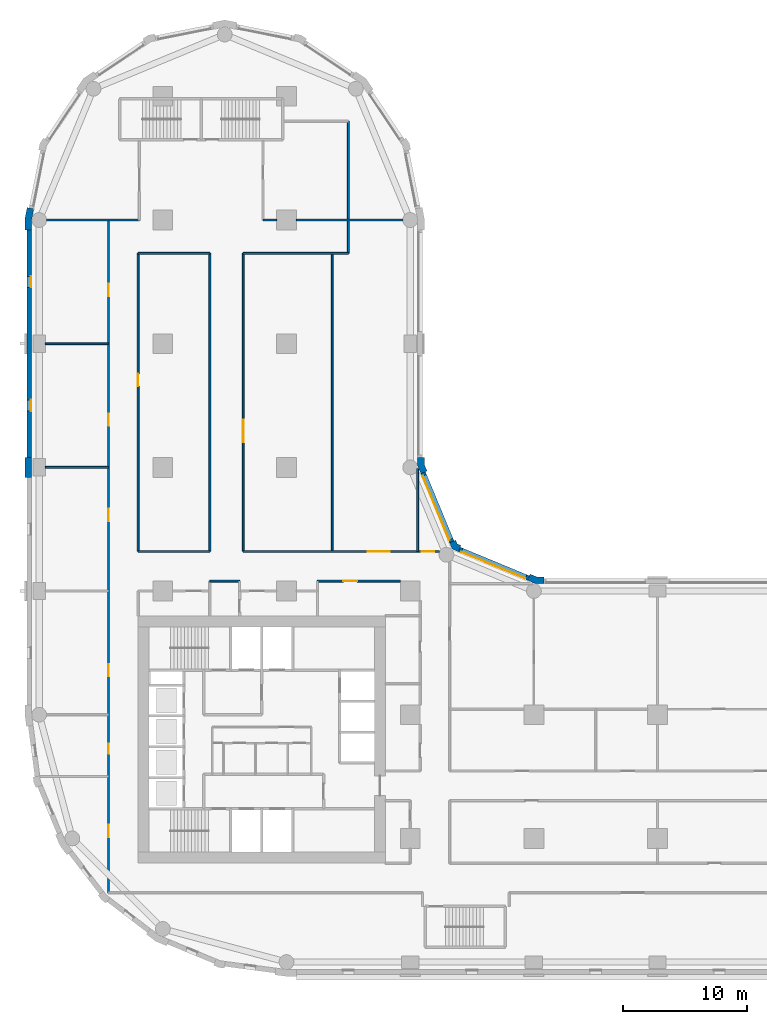
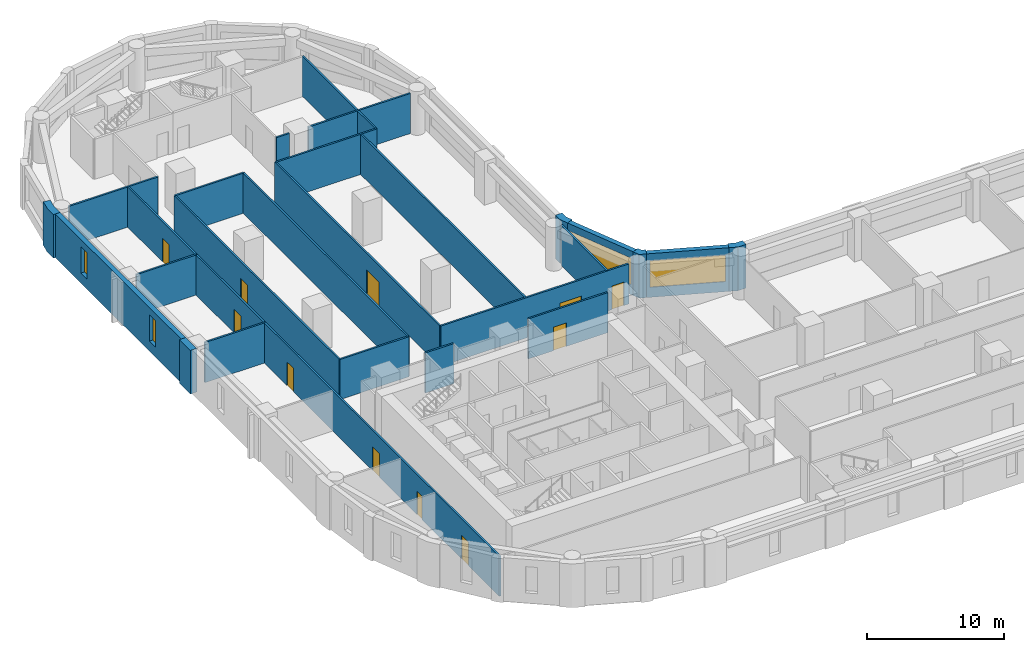
# One storey, part 5 of 10: 26 walls, 11 doors, 4 windows, 15 openings.
"""IFC4 building model written with IfcOpenShell, lengths in metres."""

from ifc_helpers import new_model, si_unit, direction, frame, frame_2d, origin, place, context, subcontext, project, spatial, polyline, rectangle, outline, extrude, material, layer, layer_set, type_object, element, fill, save


model = new_model("IFC4")

# Units and contexts
model_context = context("Model", 3, precision=1e-05, world=origin(), true_north=direction((0.0, 1.0)))
body_context = subcontext(model_context, "Body", "Model", "MODEL_VIEW")
ifc_project = project(units=[si_unit("LENGTHUNIT", "METRE"), si_unit("AREAUNIT", "SQUARE_METRE"), si_unit("VOLUMEUNIT", "CUBIC_METRE"), si_unit("PLANEANGLEUNIT", "RADIAN"), si_unit("MASSUNIT", "GRAM", prefix="KILO")], contexts=[model_context])

# Site, building, storey
site_placement = place(None, origin())
site = spatial("IfcSite", under=ifc_project, at=site_placement, CompositionType="ELEMENT")
building_placement = place(site_placement, origin())
building = spatial("IfcBuilding", under=site, at=building_placement, Name="Qaws Garden Tower", CompositionType="ELEMENT")
storey_placement = place(building_placement, frame((0.0, 0.0, 78.300048828125)))
storey = spatial("IfcBuildingStorey", under=building, at=storey_placement, Name="L19", CompositionType="ELEMENT", Elevation=78.300048828125)

# Wall, opening, window
ifc_material_1 = material(Name="Clay facing brick masonry", Category="masonry")
ifc_layer_1 = layer(ifc_material_1, 0.39990234375)
ifc_layer_set_1 = layer_set([ifc_layer_1], Name="Clay facing brick masonry")
wall_type_1 = type_object("IfcWallType", Name="Brick infill wall 400", PredefinedType="SOLIDWALL", material=ifc_layer_set_1)
wall_1_placement = place(storey_placement, frame((39.56689453125, 31.04541015625, 0.0), z_axis=(0.0, 0.0, 1.0), x_axis=(-0.923891000409, 0.382655745237, 0.0)))
wall_1 = element("IfcWall", 1, at=wall_1_placement, inside=storey, type_object=wall_type_1, Name="E-L19-infill-11", PredefinedType="SOLIDWALL", context=body_context, shape_type="SweptSolid", body=[
    extrude(rectangle(XDim=6.053466796875, YDim=0.39990234375, at=frame_2d((3.02685546875, 0.0))), origin(), (0.0, 0.0, 1.0), 3.89990234375),
])
opening_1_placement = place(wall_1_placement, frame((0.226806640625, 0.0, 0.89990234375)))
opening_1 = element("IfcOpeningElement", 2, at=opening_1_placement, cuts=wall_1, Name="Opening W04", PredefinedType="OPENING", context=body_context, shape_type="SweptSolid", body=[
    extrude(rectangle(XDim=5.60009765625, YDim=2.35009765625, at=frame_2d((2.800048828125, 1.175048828125))), frame((0.0, 0.2099609375, 0.0), z_axis=(0.0, -1.0, 0.0), x_axis=(1.0, 0.0, 0.0)), (0.0, 0.0, 1.0), 0.419921875),
])
ifc_material_2 = material(Name="Aluminium framed window, clear glazing", Category="aluminium")
window_type_1 = type_object("IfcWindowType", Name="Ribbon window 5600 x 2350", PartitioningType="DOUBLE_PANEL_VERTICAL", PredefinedType="WINDOW", material=ifc_material_2)
window_1_placement = place(opening_1_placement, origin())
window_1 = element("IfcWindow", 3, at=window_1_placement, inside=storey, type_object=window_type_1, Name="E-L19-window-11-0", OverallHeight=2.35009765625, OverallWidth=5.60009765625, PartitioningType="SINGLE_PANEL", PredefinedType="WINDOW", context=body_context, shape_type="SweptSolid", body=[
    extrude(rectangle(XDim=5.60009765625, YDim=2.35009765625, at=frame_2d((2.800048828125, 1.175048828125))), frame((0.0, 0.159912109375, 0.0), z_axis=(0.0, -1.0, 0.0), x_axis=(1.0, 0.0, 0.0)), (0.0, 0.0, 1.0), 0.06005859375),
])
fill(opening_1, window_1)

wall_2_placement = place(storey_placement, frame((33.36181640625, 33.97412109375, 0.0), z_axis=(0.0, 0.0, 1.0), x_axis=(-0.382655745237, 0.923891000409, 0.0)))
wall_2 = element("IfcWall", 4, at=wall_2_placement, inside=storey, type_object=wall_type_1, Name="E-L19-infill-12", PredefinedType="SOLIDWALL", context=body_context, shape_type="SweptSolid", body=[
    extrude(rectangle(XDim=6.053466796875, YDim=0.39990234375, at=frame_2d((3.02685546875, 0.0))), origin(), (0.0, 0.0, 1.0), 3.89990234375),
])
opening_2_placement = place(wall_2_placement, frame((0.226806640625, 0.0, 0.89990234375)))
opening_2 = element("IfcOpeningElement", 5, at=opening_2_placement, cuts=wall_2, Name="Opening W04", PredefinedType="OPENING", context=body_context, shape_type="SweptSolid", body=[
    extrude(rectangle(XDim=5.60009765625, YDim=2.35009765625, at=frame_2d((2.800048828125, 1.175048828125))), frame((0.0, 0.2099609375, 0.0), z_axis=(0.0, -1.0, 0.0), x_axis=(1.0, 0.0, 0.0)), (0.0, 0.0, 1.0), 0.419921875),
])
window_2_placement = place(opening_2_placement, origin())
window_2 = element("IfcWindow", 6, at=window_2_placement, inside=storey, type_object=window_type_1, Name="E-L19-window-12-0", OverallHeight=2.35009765625, OverallWidth=5.60009765625, PartitioningType="SINGLE_PANEL", PredefinedType="WINDOW", context=body_context, shape_type="SweptSolid", body=[
    extrude(rectangle(XDim=5.60009765625, YDim=2.35009765625, at=frame_2d((2.800048828125, 1.175048828125))), frame((0.0, 0.159912109375, 0.0), z_axis=(0.0, -1.0, 0.0), x_axis=(1.0, 0.0, 0.0)), (0.0, 0.0, 1.0), 0.06005859375),
])
fill(opening_2, window_2)

# Wall, openings, windows
wall_3_placement = place(storey_placement, frame((-0.800048828125, 59.199951171875, 0.0), z_axis=(0.0, 0.0, 1.0), x_axis=(0.0, -1.0, 0.0)))
wall_3 = element("IfcWall", 7, at=wall_3_placement, inside=storey, type_object=wall_type_1, Name="E-L19-infill-23", PredefinedType="SOLIDWALL", context=body_context, shape_type="SweptSolid", body=[
    extrude(rectangle(XDim=18.39990234375, YDim=0.39990234375, at=frame_2d((9.199951171875, 0.0))), origin(), (0.0, 0.0, 1.0), 3.89990234375),
])
opening_3_placement = place(wall_3_placement, frame((3.75, 0.0, 0.89990234375)))
opening_3 = element("IfcOpeningElement", 8, at=opening_3_placement, cuts=wall_3, Name="Opening W09", PredefinedType="OPENING", context=body_context, shape_type="SweptSolid", body=[
    extrude(rectangle(XDim=0.89990234375, YDim=2.35009765625, at=frame_2d((0.449951171875, 1.175048828125))), frame((0.0, 0.2099609375, 0.0), z_axis=(0.0, -1.0, 0.0), x_axis=(1.0, 0.0, 0.0)), (0.0, 0.0, 1.0), 0.419921875),
])
opening_4_placement = place(wall_3_placement, frame((13.75, 0.0, 0.89990234375)))
opening_4 = element("IfcOpeningElement", 9, at=opening_4_placement, cuts=wall_3, Name="Opening W09", PredefinedType="OPENING", context=body_context, shape_type="SweptSolid", body=[
    extrude(rectangle(XDim=0.89990234375, YDim=2.35009765625, at=frame_2d((0.449951171875, 1.175048828125))), frame((0.0, 0.2099609375, 0.0), z_axis=(0.0, -1.0, 0.0), x_axis=(1.0, 0.0, 0.0)), (0.0, 0.0, 1.0), 0.419921875),
])
ifc_material_3 = material(Name="Aluminium framed window, clear glazing", Category="aluminium")
window_type_2 = type_object("IfcWindowType", Name="Slit window 900 x 2350", PartitioningType="SINGLE_PANEL", PredefinedType="WINDOW", material=ifc_material_3)
window_3_placement = place(opening_3_placement, origin())
window_3 = element("IfcWindow", 10, at=window_3_placement, inside=storey, type_object=window_type_2, Name="E-L19-window-23-0", OverallHeight=2.35009765625, OverallWidth=0.89990234375, PartitioningType="SINGLE_PANEL", PredefinedType="WINDOW", context=body_context, shape_type="SweptSolid", body=[
    extrude(rectangle(XDim=0.89990234375, YDim=2.35009765625, at=frame_2d((0.449951171875, 1.175048828125))), frame((0.0, 0.159912109375, 0.0), z_axis=(0.0, -1.0, 0.0), x_axis=(1.0, 0.0, 0.0)), (0.0, 0.0, 1.0), 0.06005859375),
])
fill(opening_3, window_3)
window_4_placement = place(opening_4_placement, origin())
window_4 = element("IfcWindow", 11, at=window_4_placement, inside=storey, type_object=window_type_2, Name="E-L19-window-24-0", OverallHeight=2.35009765625, OverallWidth=0.89990234375, PartitioningType="SINGLE_PANEL", PredefinedType="WINDOW", context=body_context, shape_type="SweptSolid", body=[
    extrude(rectangle(XDim=0.89990234375, YDim=2.35009765625, at=frame_2d((0.449951171875, 1.175048828125))), frame((0.0, 0.159912109375, 0.0), z_axis=(0.0, -1.0, 0.0), x_axis=(1.0, 0.0, 0.0)), (0.0, 0.0, 1.0), 0.06005859375),
])
fill(opening_4, window_4)

# Walls
ifc_material_4 = material(Name="Clay facing brick masonry", Category="masonry")
ifc_layer_2 = layer(ifc_material_4, 0.550048828125)
ifc_layer_set_2 = layer_set([ifc_layer_2], Name="Clay facing brick masonry")
wall_type_2 = type_object("IfcWallType", Name="Brick pier 550 x 1600", PredefinedType="SOLIDWALL", material=ifc_layer_set_2)
placement = place(storey_placement, origin())
element("IfcWall", 12, at=placement, inside=storey, type_object=wall_type_2, Name="E-L19-pier-11", PredefinedType="SOLIDWALL", context=body_context, shape_type="SweptSolid", body=[
    extrude(outline(polyline([(40.800048828125, 31.0), (40.800048828125, 31.14990234375), (40.228759765625, 31.14990234375), (39.700927734375, 31.36865234375), (39.6435546875, 31.22998046875), (39.490478515625, 30.860595703125), (40.119384765625, 30.60009765625), (40.800048828125, 30.60009765625), (40.800048828125, 31.0)])), origin(), (0.0, 0.0, 1.0), 3.89990234375),
])
element("IfcWall", 13, at=placement, inside=storey, type_object=wall_type_2, Name="E-L19-pier-12", PredefinedType="SOLIDWALL", context=body_context, shape_type="SweptSolid", body=[
    extrude(outline(polyline([(34.05078125, 33.546630859375), (34.108154296875, 33.685302734375), (33.80908203125, 33.80908203125), (33.685302734375, 34.108154296875), (33.546630859375, 34.05078125), (33.177001953125, 33.897705078125), (33.38818359375, 33.38818359375), (33.897705078125, 33.177001953125), (34.05078125, 33.546630859375)])), origin(), (0.0, 0.0, 1.0), 3.89990234375),
])
element("IfcWall", 14, at=placement, inside=storey, type_object=wall_type_2, Name="E-L19-pier-13", PredefinedType="SOLIDWALL", context=body_context, shape_type="SweptSolid", body=[
    extrude(outline(polyline([(31.22998046875, 39.6435546875), (31.36865234375, 39.700927734375), (31.14990234375, 40.228759765625), (31.14990234375, 40.800048828125), (31.0, 40.800048828125), (30.60009765625, 40.800048828125), (30.60009765625, 40.119384765625), (30.860595703125, 39.490478515625), (31.22998046875, 39.6435546875)])), origin(), (0.0, 0.0, 1.0), 3.89990234375),
])
element("IfcWall", 15, at=placement, inside=storey, type_object=wall_type_2, Name="E-L19-pier-23", PredefinedType="SOLIDWALL", context=body_context, shape_type="SweptSolid", body=[
    extrude(outline(polyline([(-0.82470703125, 60.979736328125), (-0.971923828125, 61.009033203125), (-1.14990234375, 60.11328125), (-1.14990234375, 59.199951171875), (-1.0, 59.199951171875), (-0.60009765625, 59.199951171875), (-0.60009765625, 60.05908203125), (-0.432373046875, 60.901611328125), (-0.82470703125, 60.979736328125)])), origin(), (0.0, 0.0, 1.0), 3.89990234375),
])
element("IfcWall", 16, at=placement, inside=storey, type_object=wall_type_2, Name="E-L19-pier-25", PredefinedType="SOLIDWALL", context=body_context, shape_type="SweptSolid", body=[
    extrude(outline(polyline([(-1.0, 40.800048828125), (-1.14990234375, 40.800048828125), (-1.14990234375, 40.0), (-1.14990234375, 39.199951171875), (-1.0, 39.199951171875), (-0.60009765625, 39.199951171875), (-0.60009765625, 40.0), (-0.60009765625, 40.800048828125), (-1.0, 40.800048828125)])), origin(), (0.0, 0.0, 1.0), 3.89990234375),
])

# Wall, openings, doors
ifc_material_5 = material(Name="Gypsum board partition")
ifc_layer_3 = layer(ifc_material_5, 0.14990234375)
ifc_layer_set_3 = layer_set([ifc_layer_3], Name="Gypsum board partition")
wall_type_3 = type_object("IfcWallType", Name="PARTITION 150 EI 60", PredefinedType="PARTITIONING", material=ifc_layer_set_3)
wall_9_placement = place(storey_placement, frame((5.60009765625, 5.60009765625, 0.0), z_axis=(0.0, 0.0, 1.0), x_axis=(0.0, 1.0, 0.0)))
wall_9 = element("IfcWall", 17, at=wall_9_placement, inside=storey, type_object=wall_type_3, Name="O-L19-wall-004", PredefinedType="PARTITIONING", context=body_context, shape_type="SweptSolid", body=[
    extrude(rectangle(XDim=54.39990234375, YDim=0.14990234375, at=frame_2d((27.199951171875, 0.0))), origin(), (0.0, 0.0, 1.0), 3.579833984375),
])
opening_5_placement = place(wall_9_placement, frame((4.5, 0.0, 0.0)))
opening_5 = element("IfcOpeningElement", 18, at=opening_5_placement, cuts=wall_9, Name="Opening A601", PredefinedType="OPENING", context=body_context, shape_type="SweptSolid", body=[
    extrude(rectangle(XDim=1.0, YDim=2.10009765625, at=frame_2d((0.5, 1.050048828125))), frame((0.0, 0.0849609375, 0.0), z_axis=(0.0, -1.0, 0.0), x_axis=(1.0, 0.0, 0.0)), (0.0, 0.0, 1.0), 0.169921875),
])
opening_6_placement = place(wall_9_placement, frame((11.25, 0.0, 0.0)))
opening_6 = element("IfcOpeningElement", 19, at=opening_6_placement, cuts=wall_9, Name="Opening A602", PredefinedType="OPENING", context=body_context, shape_type="SweptSolid", body=[
    extrude(rectangle(XDim=0.800048828125, YDim=2.10009765625, at=frame_2d((0.39990234375, 1.050048828125))), frame((0.0, 0.0849609375, 0.0), z_axis=(0.0, -1.0, 0.0), x_axis=(1.0, 0.0, 0.0)), (0.0, 0.0, 1.0), 0.169921875),
])
opening_7_placement = place(wall_9_placement, frame((17.5, 0.0, 0.0)))
opening_7 = element("IfcOpeningElement", 20, at=opening_7_placement, cuts=wall_9, Name="Opening A610", PredefinedType="OPENING", context=body_context, shape_type="SweptSolid", body=[
    extrude(rectangle(XDim=1.0, YDim=2.10009765625, at=frame_2d((0.5, 1.050048828125))), frame((0.0, 0.0849609375, 0.0), z_axis=(0.0, -1.0, 0.0), x_axis=(1.0, 0.0, 0.0)), (0.0, 0.0, 1.0), 0.169921875),
])
opening_8_placement = place(wall_9_placement, frame((30.050048828125, 0.0, 0.0)))
opening_8 = element("IfcOpeningElement", 21, at=opening_8_placement, cuts=wall_9, Name="Opening A619", PredefinedType="OPENING", context=body_context, shape_type="SweptSolid", body=[
    extrude(rectangle(XDim=1.0, YDim=2.10009765625, at=frame_2d((0.5, 1.050048828125))), frame((0.0, 0.0849609375, 0.0), z_axis=(0.0, -1.0, 0.0), x_axis=(1.0, 0.0, 0.0)), (0.0, 0.0, 1.0), 0.169921875),
])
opening_9_placement = place(wall_9_placement, frame((37.75, 0.0, 0.0)))
opening_9 = element("IfcOpeningElement", 22, at=opening_9_placement, cuts=wall_9, Name="Opening A620", PredefinedType="OPENING", context=body_context, shape_type="SweptSolid", body=[
    extrude(rectangle(XDim=1.0, YDim=2.10009765625, at=frame_2d((0.5, 1.050048828125))), frame((0.0, 0.0849609375, 0.0), z_axis=(0.0, -1.0, 0.0), x_axis=(1.0, 0.0, 0.0)), (0.0, 0.0, 1.0), 0.169921875),
])
opening_10_placement = place(wall_9_placement, frame((48.25, 0.0, 0.0)))
opening_10 = element("IfcOpeningElement", 23, at=opening_10_placement, cuts=wall_9, Name="Opening A621", PredefinedType="OPENING", context=body_context, shape_type="SweptSolid", body=[
    extrude(rectangle(XDim=1.0, YDim=2.10009765625, at=frame_2d((0.5, 1.050048828125))), frame((0.0, 0.0849609375, 0.0), z_axis=(0.0, -1.0, 0.0), x_axis=(1.0, 0.0, 0.0)), (0.0, 0.0, 1.0), 0.169921875),
])
ifc_material_6 = material(Name="Timber door leaf", Category="wood")
door_type_1 = type_object("IfcDoorType", Name="STORE DOOR 800 X 2100", OperationType="SINGLE_SWING_LEFT", PredefinedType="DOOR", material=ifc_material_6)
door_1_placement = place(opening_6_placement, origin())
door_1 = element("IfcDoor", 24, at=door_1_placement, inside=storey, type_object=door_type_1, Name="O-L19-door-002", OperationType="SINGLE_SWING_RIGHT", OverallHeight=2.10009765625, OverallWidth=0.800048828125, PredefinedType="DOOR", context=body_context, shape_type="SweptSolid", body=[
    extrude(rectangle(XDim=0.800048828125, YDim=2.10009765625, at=frame_2d((0.39990234375, 1.050048828125))), frame((0.0, 0.02490234375, 0.0), z_axis=(0.0, -1.0, 0.0), x_axis=(1.0, 0.0, 0.0)), (0.0, 0.0, 1.0), 0.050048828125),
])
fill(opening_6, door_1)
ifc_material_7 = material(Name="Timber door leaf", Category="wood")
door_type_2 = type_object("IfcDoorType", Name="TENANCY ENTRANCE DOOR 1000 X 2100", OperationType="SINGLE_SWING_LEFT", PredefinedType="DOOR", material=ifc_material_7)
door_2_placement = place(opening_5_placement, origin())
door_2 = element("IfcDoor", 25, at=door_2_placement, inside=storey, type_object=door_type_2, Name="O-L19-door-001", OperationType="SINGLE_SWING_RIGHT", OverallHeight=2.10009765625, OverallWidth=1.0, PredefinedType="DOOR", context=body_context, shape_type="SweptSolid", body=[
    extrude(rectangle(XDim=1.0, YDim=2.10009765625, at=frame_2d((0.5, 1.050048828125))), frame((0.0, 0.02490234375, 0.0), z_axis=(0.0, -1.0, 0.0), x_axis=(1.0, 0.0, 0.0)), (0.0, 0.0, 1.0), 0.050048828125),
])
fill(opening_5, door_2)
door_3_placement = place(opening_7_placement, origin())
door_3 = element("IfcDoor", 26, at=door_3_placement, inside=storey, type_object=door_type_2, Name="O-L19-door-010", OperationType="SINGLE_SWING_RIGHT", OverallHeight=2.10009765625, OverallWidth=1.0, PredefinedType="DOOR", context=body_context, shape_type="SweptSolid", body=[
    extrude(rectangle(XDim=1.0, YDim=2.10009765625, at=frame_2d((0.5, 1.050048828125))), frame((0.0, 0.02490234375, 0.0), z_axis=(0.0, -1.0, 0.0), x_axis=(1.0, 0.0, 0.0)), (0.0, 0.0, 1.0), 0.050048828125),
])
fill(opening_7, door_3)
door_4_placement = place(opening_8_placement, origin())
door_4 = element("IfcDoor", 27, at=door_4_placement, inside=storey, type_object=door_type_2, Name="O-L19-door-019", OperationType="SINGLE_SWING_LEFT", OverallHeight=2.10009765625, OverallWidth=1.0, PredefinedType="DOOR", context=body_context, shape_type="SweptSolid", body=[
    extrude(rectangle(XDim=1.0, YDim=2.10009765625, at=frame_2d((0.5, 1.050048828125))), frame((0.0, 0.02490234375, 0.0), z_axis=(0.0, -1.0, 0.0), x_axis=(1.0, 0.0, 0.0)), (0.0, 0.0, 1.0), 0.050048828125),
])
fill(opening_8, door_4)
door_5_placement = place(opening_9_placement, origin())
door_5 = element("IfcDoor", 28, at=door_5_placement, inside=storey, type_object=door_type_2, Name="O-L19-door-020", OperationType="SINGLE_SWING_LEFT", OverallHeight=2.10009765625, OverallWidth=1.0, PredefinedType="DOOR", context=body_context, shape_type="SweptSolid", body=[
    extrude(rectangle(XDim=1.0, YDim=2.10009765625, at=frame_2d((0.5, 1.050048828125))), frame((0.0, 0.02490234375, 0.0), z_axis=(0.0, -1.0, 0.0), x_axis=(1.0, 0.0, 0.0)), (0.0, 0.0, 1.0), 0.050048828125),
])
fill(opening_9, door_5)
door_6_placement = place(opening_10_placement, origin())
door_6 = element("IfcDoor", 29, at=door_6_placement, inside=storey, type_object=door_type_2, Name="O-L19-door-021", OperationType="SINGLE_SWING_LEFT", OverallHeight=2.10009765625, OverallWidth=1.0, PredefinedType="DOOR", context=body_context, shape_type="SweptSolid", body=[
    extrude(rectangle(XDim=1.0, YDim=2.10009765625, at=frame_2d((0.5, 1.050048828125))), frame((0.0, 0.02490234375, 0.0), z_axis=(0.0, -1.0, 0.0), x_axis=(1.0, 0.0, 0.0)), (0.0, 0.0, 1.0), 0.050048828125),
])
fill(opening_10, door_6)

# Wall, opening, door
wall_10_placement = place(storey_placement, frame((8.0, 33.199951171875, 0.0), z_axis=(0.0, 0.0, 1.0), x_axis=(0.0, 1.0, 0.0)))
wall_10 = element("IfcWall", 30, at=wall_10_placement, inside=storey, type_object=wall_type_3, Name="O-L19-wall-006", PredefinedType="PARTITIONING", context=body_context, shape_type="SweptSolid", body=[
    extrude(rectangle(XDim=24.10009765625, YDim=0.14990234375, at=frame_2d((12.050048828125, 0.0))), origin(), (0.0, 0.0, 1.0), 3.579833984375),
])
opening_11_placement = place(wall_10_placement, frame((13.35009765625, 0.0, 0.0)))
opening_11 = element("IfcOpeningElement", 31, at=opening_11_placement, cuts=wall_10, Name="Opening A613", PredefinedType="OPENING", context=body_context, shape_type="SweptSolid", body=[
    extrude(rectangle(XDim=1.0, YDim=2.10009765625, at=frame_2d((0.5, 1.050048828125))), frame((0.0, 0.0849609375, 0.0), z_axis=(0.0, -1.0, 0.0), x_axis=(1.0, 0.0, 0.0)), (0.0, 0.0, 1.0), 0.169921875),
])
door_7_placement = place(opening_11_placement, frame((1.0, 0.0, 0.0), z_axis=(0.0, 0.0, 1.0), x_axis=(-1.0, 0.0, 0.0)))
door_7 = element("IfcDoor", 32, at=door_7_placement, inside=storey, type_object=door_type_2, Name="O-L19-door-013", OperationType="SINGLE_SWING_RIGHT", OverallHeight=2.10009765625, OverallWidth=1.0, PredefinedType="DOOR", context=body_context, shape_type="SweptSolid", body=[
    extrude(rectangle(XDim=1.0, YDim=2.10009765625, at=frame_2d((0.5, 1.050048828125))), frame((0.0, 0.02490234375, 0.0), z_axis=(0.0, -1.0, 0.0), x_axis=(1.0, 0.0, 0.0)), (0.0, 0.0, 1.0), 0.050048828125),
])
fill(opening_11, door_7)

# Wall
wall_11_placement = place(storey_placement, frame((13.800048828125, 33.199951171875, 0.0), z_axis=(0.0, 0.0, 1.0), x_axis=(0.0, 1.0, 0.0)))
element("IfcWall", 33, at=wall_11_placement, inside=storey, type_object=wall_type_3, Name="O-L19-wall-009", PredefinedType="PARTITIONING", context=body_context, shape_type="SweptSolid", body=[
    extrude(rectangle(XDim=24.10009765625, YDim=0.14990234375, at=frame_2d((12.050048828125, 0.0))), origin(), (0.0, 0.0, 1.0), 3.579833984375),
])

# Wall, opening, door
wall_12_placement = place(storey_placement, frame((16.5, 33.199951171875, 0.0), z_axis=(0.0, 0.0, 1.0), x_axis=(0.0, 1.0, 0.0)))
wall_12 = element("IfcWall", 34, at=wall_12_placement, inside=storey, type_object=wall_type_3, Name="O-L19-wall-011", PredefinedType="PARTITIONING", context=body_context, shape_type="SweptSolid", body=[
    extrude(rectangle(XDim=24.10009765625, YDim=0.14990234375, at=frame_2d((12.050048828125, 0.0))), origin(), (0.0, 0.0, 1.0), 3.579833984375),
])
opening_12_placement = place(wall_12_placement, frame((8.85009765625, 0.0, 0.0)))
opening_12 = element("IfcOpeningElement", 35, at=opening_12_placement, cuts=wall_12, Name="Opening A614", PredefinedType="OPENING", context=body_context, shape_type="SweptSolid", body=[
    extrude(rectangle(XDim=1.800048828125, YDim=2.10009765625, at=frame_2d((0.89990234375, 1.050048828125))), frame((0.0, 0.0849609375, 0.0), z_axis=(0.0, -1.0, 0.0), x_axis=(1.0, 0.0, 0.0)), (0.0, 0.0, 1.0), 0.169921875),
])
ifc_material_8 = material(Name="Timber door leaf", Category="wood")
door_type_3 = type_object("IfcDoorType", Name="DOUBLE DOOR 1800 X 2100", OperationType="DOUBLE_DOOR_SINGLE_SWING", PredefinedType="DOOR", material=ifc_material_8)
door_8_placement = place(opening_12_placement, frame((1.800048828125, 0.0, 0.0), z_axis=(0.0, 0.0, 1.0), x_axis=(-1.0, 0.0, 0.0)))
door_8 = element("IfcDoor", 36, at=door_8_placement, inside=storey, type_object=door_type_3, Name="O-L19-door-014", OperationType="DOUBLE_DOOR_SINGLE_SWING", OverallHeight=2.10009765625, OverallWidth=1.800048828125, PredefinedType="DOOR", context=body_context, shape_type="SweptSolid", body=[
    extrude(rectangle(XDim=1.800048828125, YDim=2.10009765625, at=frame_2d((0.89990234375, 1.050048828125))), frame((0.0, 0.02490234375, 0.0), z_axis=(0.0, -1.0, 0.0), x_axis=(1.0, 0.0, 0.0)), (0.0, 0.0, 1.0), 0.050048828125),
])
fill(opening_12, door_8)

# Walls
wall_13_placement = place(storey_placement, frame((23.699951171875, 33.199951171875, 0.0), z_axis=(0.0, 0.0, 1.0), x_axis=(0.0, 1.0, 0.0)))
element("IfcWall", 37, at=wall_13_placement, inside=storey, type_object=wall_type_3, Name="O-L19-wall-014", PredefinedType="PARTITIONING", context=body_context, shape_type="SweptSolid", body=[
    extrude(rectangle(XDim=24.10009765625, YDim=0.14990234375, at=frame_2d((12.050048828125, 0.0))), origin(), (0.0, 0.0, 1.0), 3.579833984375),
])
wall_14_placement = place(storey_placement, frame((25.0, 57.300048828125, 0.0), z_axis=(0.0, 0.0, 1.0), x_axis=(0.0, 1.0, 0.0)))
element("IfcWall", 38, at=wall_14_placement, inside=storey, type_object=wall_type_3, Name="O-L19-wall-015", PredefinedType="PARTITIONING", context=body_context, shape_type="SweptSolid", body=[
    extrude(rectangle(XDim=10.699951171875, YDim=0.14990234375, at=frame_2d((5.35009765625, 0.0))), origin(), (0.0, 0.0, 1.0), 3.579833984375),
])
wall_15_placement = place(storey_placement, frame((30.60009765625, 33.199951171875, 0.0), z_axis=(0.0, 0.0, 1.0), x_axis=(0.0, 1.0, 0.0)))
element("IfcWall", 39, at=wall_15_placement, inside=storey, type_object=wall_type_3, Name="O-L19-wall-018", PredefinedType="PARTITIONING", context=body_context, shape_type="SweptSolid", body=[
    extrude(rectangle(XDim=6.698974609375, YDim=0.14990234375, at=frame_2d((3.349609375, 0.0))), origin(), (0.0, 0.0, 1.0), 3.579833984375),
])
wall_16_placement = place(storey_placement, frame((13.800048828125, 30.800048828125, 0.0), z_axis=(0.0, 0.0, 1.0), x_axis=(1.0, 0.0, 0.0)))
element("IfcWall", 40, at=wall_16_placement, inside=storey, type_object=wall_type_3, Name="O-L19-wall-054", PredefinedType="PARTITIONING", context=body_context, shape_type="SweptSolid", body=[
    extrude(rectangle(XDim=2.39990234375, YDim=0.14990234375, at=frame_2d((1.199951171875, 0.0))), origin(), (0.0, 0.0, 1.0), 3.579833984375),
])

# Wall, opening, door
wall_17_placement = place(storey_placement, frame((22.5, 30.800048828125, 0.0), z_axis=(0.0, 0.0, 1.0), x_axis=(1.0, 0.0, 0.0)))
wall_17 = element("IfcWall", 41, at=wall_17_placement, inside=storey, type_object=wall_type_3, Name="O-L19-wall-055", PredefinedType="PARTITIONING", context=body_context, shape_type="SweptSolid", body=[
    extrude(rectangle(XDim=6.699951171875, YDim=0.14990234375, at=frame_2d((3.35009765625, 0.0))), origin(), (0.0, 0.0, 1.0), 3.579833984375),
])
opening_13_placement = place(wall_17_placement, frame((2.10009765625, 0.0, 0.0)))
opening_13 = element("IfcOpeningElement", 42, at=opening_13_placement, cuts=wall_17, Name="Opening A612", PredefinedType="OPENING", context=body_context, shape_type="SweptSolid", body=[
    extrude(rectangle(XDim=1.10009765625, YDim=2.10009765625, at=frame_2d((0.550048828125, 1.050048828125))), frame((0.0, 0.0849609375, 0.0), z_axis=(0.0, -1.0, 0.0), x_axis=(1.0, 0.0, 0.0)), (0.0, 0.0, 1.0), 0.169921875),
])
ifc_material_9 = material(Name="Timber door leaf", Category="wood")
door_type_4 = type_object("IfcDoorType", Name="SERVICE ROOM DOOR 1100 X 2100", OperationType="SINGLE_SWING_LEFT", PredefinedType="DOOR", material=ifc_material_9)
door_9_placement = place(opening_13_placement, frame((1.10009765625, 0.0, 0.0), z_axis=(0.0, 0.0, 1.0), x_axis=(-1.0, 0.0, 0.0)))
door_9 = element("IfcDoor", 43, at=door_9_placement, inside=storey, type_object=door_type_4, Name="O-L19-door-012", OperationType="SINGLE_SWING_LEFT", OverallHeight=2.10009765625, OverallWidth=1.10009765625, PredefinedType="DOOR", context=body_context, shape_type="SweptSolid", body=[
    extrude(rectangle(XDim=1.10009765625, YDim=2.10009765625, at=frame_2d((0.550048828125, 1.050048828125))), frame((0.0, 0.02490234375, 0.0), z_axis=(0.0, -1.0, 0.0), x_axis=(1.0, 0.0, 0.0)), (0.0, 0.0, 1.0), 0.050048828125),
])
fill(opening_13, door_9)

# Wall
wall_18_placement = place(storey_placement, frame((8.0, 33.199951171875, 0.0), z_axis=(0.0, 0.0, 1.0), x_axis=(1.0, 0.0, 0.0)))
element("IfcWall", 44, at=wall_18_placement, inside=storey, type_object=wall_type_3, Name="O-L19-wall-056", PredefinedType="PARTITIONING", context=body_context, shape_type="SweptSolid", body=[
    extrude(rectangle(XDim=5.800048828125, YDim=0.14990234375, at=frame_2d((2.89990234375, 0.0))), origin(), (0.0, 0.0, 1.0), 3.579833984375),
])

# Wall, openings, doors
wall_19_placement = place(storey_placement, frame((16.5, 33.199951171875, 0.0), z_axis=(0.0, 0.0, 1.0), x_axis=(1.0, 0.0, 0.0)))
wall_19 = element("IfcWall", 45, at=wall_19_placement, inside=storey, type_object=wall_type_3, Name="O-L19-wall-057", PredefinedType="PARTITIONING", context=body_context, shape_type="SweptSolid", body=[
    extrude(rectangle(XDim=15.862060546875, YDim=0.14990234375, at=frame_2d((7.93115234375, 0.0))), origin(), (0.0, 0.0, 1.0), 3.579833984375),
])
opening_14_placement = place(wall_19_placement, frame((10.050048828125, 0.0, 0.0)))
opening_14 = element("IfcOpeningElement", 46, at=opening_14_placement, cuts=wall_19, Name="Opening A615", PredefinedType="OPENING", context=body_context, shape_type="SweptSolid", body=[
    extrude(rectangle(XDim=1.800048828125, YDim=2.10009765625, at=frame_2d((0.89990234375, 1.050048828125))), frame((0.0, 0.0849609375, 0.0), z_axis=(0.0, -1.0, 0.0), x_axis=(1.0, 0.0, 0.0)), (0.0, 0.0, 1.0), 0.169921875),
])
opening_15_placement = place(wall_19_placement, frame((14.449951171875, 0.0, 0.0)))
opening_15 = element("IfcOpeningElement", 47, at=opening_15_placement, cuts=wall_19, Name="Opening A618", PredefinedType="OPENING", context=body_context, shape_type="SweptSolid", body=[
    extrude(rectangle(XDim=1.0, YDim=2.10009765625, at=frame_2d((0.5, 1.050048828125))), frame((0.0, 0.0849609375, 0.0), z_axis=(0.0, -1.0, 0.0), x_axis=(1.0, 0.0, 0.0)), (0.0, 0.0, 1.0), 0.169921875),
])
door_10_placement = place(opening_14_placement, origin())
door_10 = element("IfcDoor", 48, at=door_10_placement, inside=storey, type_object=door_type_3, Name="O-L19-door-015", OperationType="DOUBLE_DOOR_SINGLE_SWING", OverallHeight=2.10009765625, OverallWidth=1.800048828125, PredefinedType="DOOR", context=body_context, shape_type="SweptSolid", body=[
    extrude(rectangle(XDim=1.800048828125, YDim=2.10009765625, at=frame_2d((0.89990234375, 1.050048828125))), frame((0.0, 0.02490234375, 0.0), z_axis=(0.0, -1.0, 0.0), x_axis=(1.0, 0.0, 0.0)), (0.0, 0.0, 1.0), 0.050048828125),
])
fill(opening_14, door_10)
door_11_placement = place(opening_15_placement, origin())
door_11 = element("IfcDoor", 49, at=door_11_placement, inside=storey, type_object=door_type_2, Name="O-L19-door-018", OperationType="SINGLE_SWING_LEFT", OverallHeight=2.10009765625, OverallWidth=1.0, PredefinedType="DOOR", context=body_context, shape_type="SweptSolid", body=[
    extrude(rectangle(XDim=1.0, YDim=2.10009765625, at=frame_2d((0.5, 1.050048828125))), frame((0.0, 0.02490234375, 0.0), z_axis=(0.0, -1.0, 0.0), x_axis=(1.0, 0.0, 0.0)), (0.0, 0.0, 1.0), 0.050048828125),
])
fill(opening_15, door_11)

# Walls
for number, where, z_axis, x_axis, name in (
    (50, (0.5, 40.0, 0.0), (0.0, 0.0, 1.0), (1.0, 0.0, 0.0), "O-L19-wall-058"),
    (51, (0.5, 50.0, 0.0), (0.0, 0.0, 1.0), (1.0, 0.0, 0.0), "O-L19-wall-059"),
):
    element("IfcWall", number, at=place(storey_placement, frame(where, z_axis=z_axis, x_axis=x_axis)), inside=storey, type_object=wall_type_3, Name=name, PredefinedType="PARTITIONING", context=body_context, shape_type="SweptSolid", body=[
        extrude(rectangle(XDim=5.10009765625, YDim=0.14990234375, at=frame_2d((2.550048828125, 0.0))), origin(), (0.0, 0.0, 1.0), 3.579833984375),
    ])
wall_20_placement = place(storey_placement, frame((8.0, 57.300048828125, 0.0), z_axis=(0.0, 0.0, 1.0), x_axis=(1.0, 0.0, 0.0)))
element("IfcWall", 52, at=wall_20_placement, inside=storey, type_object=wall_type_3, Name="O-L19-wall-060", PredefinedType="PARTITIONING", context=body_context, shape_type="SweptSolid", body=[
    extrude(rectangle(XDim=5.800048828125, YDim=0.14990234375, at=frame_2d((2.89990234375, 0.0))), origin(), (0.0, 0.0, 1.0), 3.579833984375),
])
wall_21_placement = place(storey_placement, frame((16.5, 57.300048828125, 0.0), z_axis=(0.0, 0.0, 1.0), x_axis=(1.0, 0.0, 0.0)))
element("IfcWall", 53, at=wall_21_placement, inside=storey, type_object=wall_type_3, Name="O-L19-wall-061", PredefinedType="PARTITIONING", context=body_context, shape_type="SweptSolid", body=[
    extrude(rectangle(XDim=8.5, YDim=0.14990234375, at=frame_2d((4.25, 0.0))), origin(), (0.0, 0.0, 1.0), 3.579833984375),
])
wall_22_placement = place(storey_placement, frame((0.60009765625, 60.0, 0.0), z_axis=(0.0, 0.0, 1.0), x_axis=(1.0, 0.0, 0.0)))
element("IfcWall", 54, at=wall_22_placement, inside=storey, type_object=wall_type_3, Name="O-L19-wall-062", PredefinedType="PARTITIONING", context=body_context, shape_type="SweptSolid", body=[
    extrude(rectangle(XDim=7.5, YDim=0.14990234375, at=frame_2d((3.75, 0.0))), origin(), (0.0, 0.0, 1.0), 3.579833984375),
])
wall_23_placement = place(storey_placement, frame((18.10009765625, 60.0, 0.0), z_axis=(0.0, 0.0, 1.0), x_axis=(1.0, 0.0, 0.0)))
element("IfcWall", 55, at=wall_23_placement, inside=storey, type_object=wall_type_3, Name="O-L19-wall-063", PredefinedType="PARTITIONING", context=body_context, shape_type="SweptSolid", body=[
    extrude(rectangle(XDim=1.099853515625, YDim=0.14990234375, at=frame_2d((0.5498046875, 0.0))), origin(), (0.0, 0.0, 1.0), 3.579833984375),
])
wall_24_placement = place(storey_placement, frame((20.800048828125, 60.0, 0.0), z_axis=(0.0, 0.0, 1.0), x_axis=(1.0, 0.0, 0.0)))
element("IfcWall", 56, at=wall_24_placement, inside=storey, type_object=wall_type_3, Name="O-L19-wall-064", PredefinedType="PARTITIONING", context=body_context, shape_type="SweptSolid", body=[
    extrude(rectangle(XDim=8.599853515625, YDim=0.14990234375, at=frame_2d((4.2998046875, 0.0))), origin(), (0.0, 0.0, 1.0), 3.579833984375),
])

save(model, "model.ifc")
